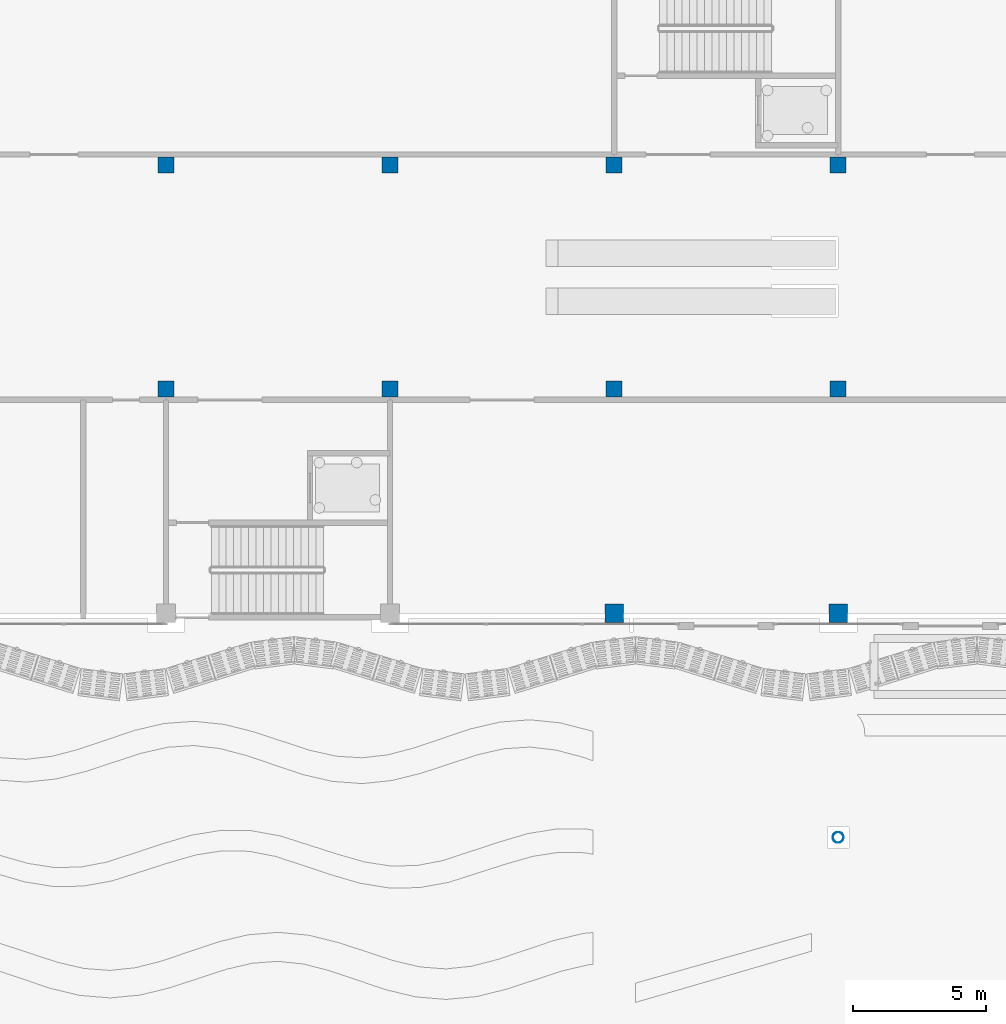
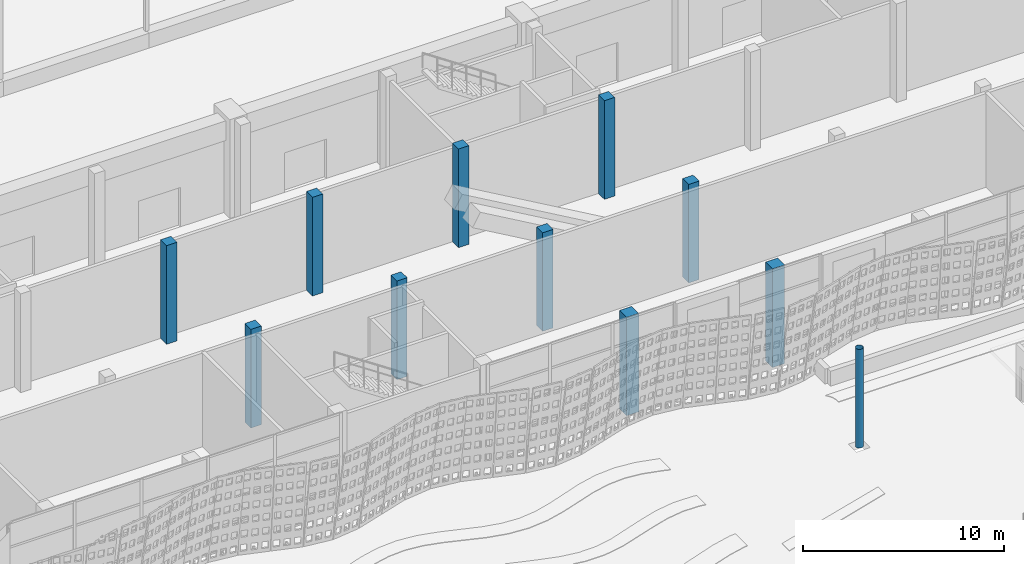
# One storey, part 9 of 210: 11 columns.
"""IFC4 building model written with IfcOpenShell, lengths in metres."""

from ifc_helpers import new_model, si_unit, direction, frame, origin, origin_2d, place, context, subcontext, project, spatial, rectangle, hollow_circle, extrude, material, material_profile, profile_set, type_object, element, save


model = new_model("IFC4")

# Units and contexts
model_context = context("Model", 3, precision=1e-05, world=origin(), true_north=direction((0.0, 1.0)))
body_context = subcontext(model_context, "Body", "Model", "MODEL_VIEW")
ifc_project = project(units=[si_unit("LENGTHUNIT", "METRE"), si_unit("AREAUNIT", "SQUARE_METRE"), si_unit("VOLUMEUNIT", "CUBIC_METRE"), si_unit("PLANEANGLEUNIT", "RADIAN"), si_unit("MASSUNIT", "GRAM", prefix="KILO")], contexts=[model_context])

# Site, building, storey
site_placement = place(None, origin())
site = spatial("IfcSite", under=ifc_project, at=site_placement, CompositionType="ELEMENT")
building_placement = place(site_placement, origin())
building = spatial("IfcBuilding", under=site, at=building_placement, Name="Rain Tree Exposition and Congress Centre", CompositionType="ELEMENT")
storey_placement = place(building_placement, origin())
storey = spatial("IfcBuildingStorey", under=building, at=storey_placement, Name="L00", CompositionType="ELEMENT", Elevation=0.0)

# Columns
ifc_material_1 = material(Name="Precast concrete C50/60", Category="concrete")
ifc_material_profile_1 = material_profile(ifc_material_1, rectangle(XDim=0.60009765625, YDim=0.60009765625, at=origin_2d()), Name="RC 600x600")
ifc_profile_set_1 = profile_set([ifc_material_profile_1], Name="Precast concrete C50/60")
column_type_1 = type_object("IfcColumnType", Name="Precast column 600x600", PredefinedType="COLUMN", material=ifc_profile_set_1)
for number, where, z_axis, x_axis, name in (
    (1, (33.60009765625, 84.0, 0.0), (0.0, 0.0, 1.0), (1.0, 0.0, 0.0), "Concourse column L00 B5"),
    (2, (42.0, 84.0, 0.0), (0.0, 0.0, 1.0), (1.0, 0.0, 0.0), "Concourse column L00 B6"),
    (3, (50.39990234375, 84.0, 0.0), (0.0, 0.0, 1.0), (1.0, 0.0, 0.0), "Concourse column L00 B7"),
    (4, (58.800048828125, 84.0, 0.0), (0.0, 0.0, 1.0), (1.0, 0.0, 0.0), "Concourse column L00 B8"),
    (5, (33.60009765625, 92.39990234375, 0.0), (0.0, 0.0, 1.0), (1.0, 0.0, 0.0), "Concourse column L00 C5"),
    (6, (42.0, 92.39990234375, 0.0), (0.0, 0.0, 1.0), (1.0, 0.0, 0.0), "Concourse column L00 C6"),
    (7, (50.39990234375, 92.39990234375, 0.0), (0.0, 0.0, 1.0), (1.0, 0.0, 0.0), "Concourse column L00 C7"),
    (8, (58.800048828125, 92.39990234375, 0.0), (0.0, 0.0, 1.0), (1.0, 0.0, 0.0), "Concourse column L00 C8"),
):
    element("IfcColumn", number, at=place(storey_placement, frame(where, z_axis=z_axis, x_axis=x_axis)), inside=storey, type_object=column_type_1, Name=name, PredefinedType="COLUMN", context=body_context, shape_type="SweptSolid", body=[
        extrude(rectangle(XDim=0.60009765625, YDim=0.60009765625, at=origin_2d()), origin(), (0.0, 0.0, 1.0), 6.0),
    ])
ifc_material_2 = material(Name="Precast concrete C50/60", Category="concrete")
ifc_material_profile_2 = material_profile(ifc_material_2, rectangle(XDim=0.699951171875, YDim=0.699951171875, at=origin_2d()), Name="RC 700x700")
ifc_profile_set_2 = profile_set([ifc_material_profile_2], Name="Precast concrete C50/60")
column_type_2 = type_object("IfcColumnType", Name="Precast column 700x700", PredefinedType="COLUMN", material=ifc_profile_set_2)
for number, where, z_axis, x_axis, name in (
    (9, (50.39990234375, 75.60009765625, 0.0), (0.0, 0.0, 1.0), (1.0, 0.0, 0.0), "Concourse column L00 A7"),
    (10, (58.800048828125, 75.60009765625, 0.0), (0.0, 0.0, 1.0), (1.0, 0.0, 0.0), "Concourse column L00 A8"),
):
    element("IfcColumn", number, at=place(storey_placement, frame(where, z_axis=z_axis, x_axis=x_axis)), inside=storey, type_object=column_type_2, Name=name, PredefinedType="COLUMN", context=body_context, shape_type="SweptSolid", body=[
        extrude(rectangle(XDim=0.699951171875, YDim=0.699951171875, at=origin_2d()), origin(), (0.0, 0.0, 1.0), 6.0),
    ])
ifc_material_3 = material(Name="Steel S355J2H", Category="steel")
ifc_material_profile_3 = material_profile(ifc_material_3, hollow_circle(Radius=0.203125, WallThickness=0.009033203125, at=origin_2d()), Name="CHS 406.4x9")
ifc_profile_set_3 = profile_set([ifc_material_profile_3], Name="Steel S355J2H")
column_type_3 = type_object("IfcColumnType", Name="Steel column CHS 406.4x9", PredefinedType="COLUMN", material=ifc_profile_set_3)
column_placement = place(storey_placement, frame((58.800048828125, 67.199951171875, 0.0), z_axis=(0.0, 0.0, 1.0), x_axis=(1.0, 0.0, 0.0)))
element("IfcColumn", 11, at=column_placement, inside=storey, type_object=column_type_3, Name="Rain tree column 2", PredefinedType="COLUMN", context=body_context, shape_type="SweptSolid", body=[
    extrude(hollow_circle(Radius=0.203125, WallThickness=0.009033203125, at=origin_2d()), origin(), (0.0, 0.0, 1.0), 6.0),
])

save(model, "model.ifc")
